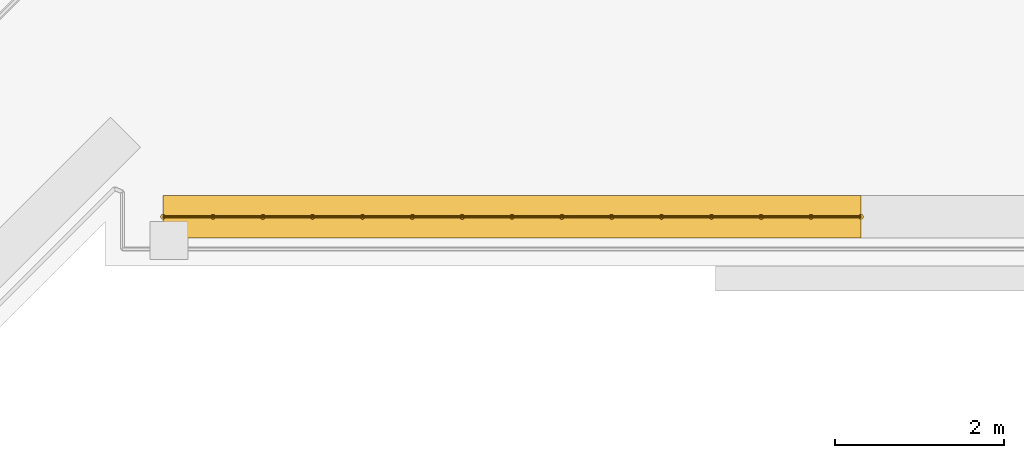
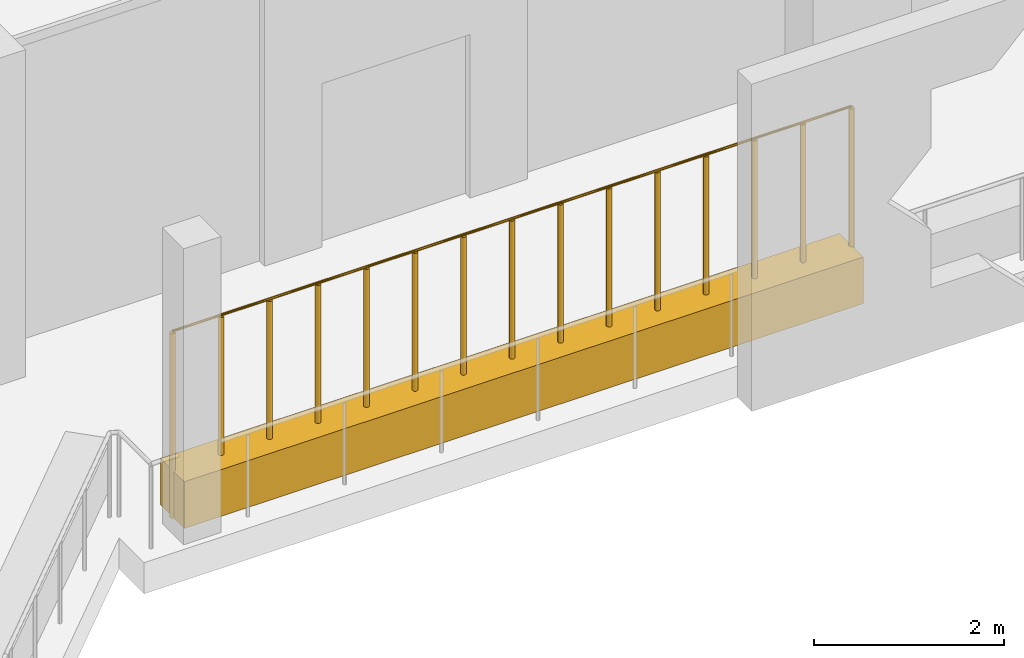
# One storey, part 23 of 27: 1 covering, 1 railing.
"""IFC4 building model written with IfcOpenShell, lengths in metres."""

import ifcopenshell
import ifcopenshell.guid

model = None  # the IFC model being written
_history = None  # IfcOwnerHistory: only IFC2X3 demands one
_inside = {}  # id of a spatial element -> (the spatial element, [elements in it])
_under = {}  # id of a project, library or spatial element -> (it, [spatial elements below it])
_declared = {}  # id of a project -> (the project, [libraries it declares])
_typed = {}  # id of a type object -> (the type object, [elements of that type])
_made_of = {}  # id of a material, layer set ... -> (it, [elements and type objects made of it])


def new_model(schema):
    """Start an empty IFC model of exactly this schema.

    Asked for "IFC4X3", IfcOpenShell would pick the latest addendum, in which some entities
    have other attributes; the version numbers below select the first issue.
    IFC2X3 requires an IfcOwnerHistory on every rooted entity: one is made here for all.
    """
    global model, _history
    if schema == "IFC4X3":
        model = ifcopenshell.file(schema_version=(4, 3, 0, 0))
    else:
        model = ifcopenshell.file(schema=schema)
    _inside.clear()
    _under.clear()
    _declared.clear()
    _typed.clear()
    _made_of.clear()
    _history = None
    if model.schema == "IFC2X3":
        org = make("IfcOrganization", Name="unknown")
        user = make(
            "IfcPersonAndOrganization",
            ThePerson=make("IfcPerson", FamilyName="unknown"),
            TheOrganization=org,
        )
        app = make(
            "IfcApplication",
            ApplicationDeveloper=org,
            Version="unknown",
            ApplicationFullName="unknown",
            ApplicationIdentifier="unknown",
        )
        _history = make(
            "IfcOwnerHistory",
            OwningUser=user,
            OwningApplication=app,
            ChangeAction="ADDED",
            CreationDate=0,
        )
    return model


def make(cls, **values):
    """One entity of the class cls with the attributes given. An attribute that is None is left unset."""
    return model.create_entity(
        cls, **{name: value for name, value in values.items() if value is not None}
    )


def rooted(cls, **values):
    """An entity with a GlobalId (a new one), such as an element, a storey or a relation."""
    return make(cls, GlobalId=ifcopenshell.guid.new(), OwnerHistory=_history, **values)


def si_unit(unit_type, name, prefix=None):
    """IfcSIUnit, for example si_unit("LENGTHUNIT", "METRE", prefix="MILLI")."""
    return make("IfcSIUnit", UnitType=unit_type, Prefix=prefix, Name=name)


def assignment(units):
    """IfcUnitAssignment: the units of a project."""
    return None if units is None else make("IfcUnitAssignment", Units=units)


def point(xyz):
    """IfcCartesianPoint."""
    return None if xyz is None else make("IfcCartesianPoint", Coordinates=xyz)


def direction(xyz):
    """IfcDirection."""
    return None if xyz is None else make("IfcDirection", DirectionRatios=xyz)


def frame(location, z_axis=None, x_axis=None):
    """IfcAxis2Placement3D, a coordinate frame: its origin and axes. An axis left out is left unset."""
    return make(
        "IfcAxis2Placement3D",
        Location=point(location),
        Axis=direction(z_axis),
        RefDirection=direction(x_axis),
    )


def frame_2d(location, x_axis=None):
    """IfcAxis2Placement2D, a coordinate frame in the plane: its origin and x axis."""
    return make(
        "IfcAxis2Placement2D", Location=point(location), RefDirection=direction(x_axis)
    )


def origin():
    """The frame at (0, 0, 0) with its axes left unset."""
    return frame((0.0, 0.0, 0.0))


def origin_2d():
    """The frame at (0, 0) in the plane with its x axis left unset."""
    return frame_2d((0.0, 0.0))


def place(relative_to, where):
    """IfcLocalPlacement: puts the frame where relative to a parent placement (None: the world)."""
    return make(
        "IfcLocalPlacement", PlacementRelTo=relative_to, RelativePlacement=where
    )


def context(
    kind, dimensions, precision=None, world=None, true_north=None, identifier=None
):
    """IfcGeometricRepresentationContext, for example the 3D "Model" context."""
    return make(
        "IfcGeometricRepresentationContext",
        ContextIdentifier=identifier,
        ContextType=kind,
        CoordinateSpaceDimension=dimensions,
        Precision=precision,
        WorldCoordinateSystem=world,
        TrueNorth=true_north,
    )


def subcontext(parent, identifier, kind, view, scale=None):
    """IfcGeometricRepresentationSubContext, for example "Body" below "Model"."""
    return make(
        "IfcGeometricRepresentationSubContext",
        ContextIdentifier=identifier,
        ContextType=kind,
        ParentContext=parent,
        TargetScale=scale,
        TargetView=view,
    )


def project(units=None, contexts=None):
    """IfcProject with its units and contexts."""
    return rooted(
        "IfcProject",
        Name="project",
        RepresentationContexts=contexts,
        UnitsInContext=assignment(units),
    )


def spatial(cls, under=None, at=None, **own):
    """A site, building, storey or space (cls), placed at a placement, below another one or the project."""
    s = rooted(cls, ObjectPlacement=at, **own)
    if under is not None:
        _under.setdefault(under.id(), (under, []))[1].append(s)
    return s


def profile(cls, at=None, kind="AREA", **sizes):
    """A parametric profile (cls). Its sizes go by their IFC names, for example OverallWidth=200.0."""
    return make(cls, ProfileType=kind, Position=at, **sizes)


def rectangle(**sizes):
    """IfcRectangleProfileDef."""
    return profile("IfcRectangleProfileDef", **sizes)


def circle(**sizes):
    """IfcCircleProfileDef."""
    return profile("IfcCircleProfileDef", **sizes)


def extrude(swept, where, along, depth):
    """IfcExtrudedAreaSolid: the profile swept, set in the frame where, extruded along a direction by depth."""
    return make(
        "IfcExtrudedAreaSolid",
        SweptArea=swept,
        Position=where,
        ExtrudedDirection=direction(along),
        Depth=depth,
    )


def shape(context_of_items, identifier, shape_type, items):
    """IfcShapeRepresentation: the items that make up one representation, for example the "Body"."""
    return make(
        "IfcShapeRepresentation",
        ContextOfItems=context_of_items,
        RepresentationIdentifier=identifier,
        RepresentationType=shape_type,
        Items=items,
    )


def material(Name=None, Category=None):
    """IfcMaterial."""
    return make("IfcMaterial", Name=Name, Category=Category)


def material_profile(
    of_material, cross_section, Name=None, Category=None, Priority=None
):
    """IfcMaterialProfile: a cross section and its material."""
    return make(
        "IfcMaterialProfile",
        Name=Name,
        Material=of_material,
        Profile=cross_section,
        Priority=Priority,
        Category=Category,
    )


def profile_set(profiles, Name=None, composite=None):
    """IfcMaterialProfileSet."""
    return make(
        "IfcMaterialProfileSet",
        Name=Name,
        MaterialProfiles=profiles,
        CompositeProfile=composite,
    )


def made_of(thing, what):
    """Note that an element or type object is made of a material, layer set ...; save() writes the relation."""
    if what is not None:
        _made_of.setdefault(what.id(), (what, []))[1].append(thing)
    return thing


def type_object(cls, material=None, **own):
    """A type object (cls), such as IfcWallType, which elements share."""
    return made_of(rooted(cls, **own), material)


def element(
    cls,
    number,
    at=None,
    inside=None,
    cuts=None,
    type_object=None,
    material=None,
    context=None,
    identifier="Body",
    shape_type=None,
    held_by="IfcProductDefinitionShape",
    body=None,
    shapes=None,
    **own,
):
    """One element of the class cls, such as IfcWall. Its Tag is "e" and its number.

    at: its placement. inside: the storey or other place that contains it. cuts: it is an
    opening in that element (IfcRelVoidsElement). A single representation is given by context,
    identifier, shape_type and body (its items); several are given by shapes. held_by: the class
    of the entity that holds the representations. save() writes the other relations.
    """
    e = rooted(cls, Tag="e%d" % number, ObjectPlacement=at, **own)
    if body is not None:
        shapes = [shape(context, identifier, shape_type, body)]
    if shapes is not None:
        e.Representation = make(held_by, Representations=shapes)
    if inside is not None:
        _inside.setdefault(inside.id(), (inside, []))[1].append(e)
    if cuts is not None:
        rooted(
            "IfcRelVoidsElement", RelatingBuildingElement=cuts, RelatedOpeningElement=e
        )
    if type_object is not None:
        _typed.setdefault(type_object.id(), (type_object, []))[1].append(e)
    return made_of(e, material)


def aggregate(whole, parts):
    """IfcRelAggregates: a whole, such as a stair, and the parts it consists of."""
    return rooted("IfcRelAggregates", RelatingObject=whole, RelatedObjects=parts)


def save(model, path):
    """Write the relations noted so far, then the file.

    IfcRelAggregates (storeys below a building ...), IfcRelContainedInSpatialStructure (elements
    in a storey), IfcRelDefinesByType, IfcRelAssociatesMaterial and IfcRelDeclares: one each for
    every whole, place, type object, material and project.
    """
    for whole, parts in _under.values():
        aggregate(whole, parts)
    for where, things in _inside.values():
        rooted(
            "IfcRelContainedInSpatialStructure",
            RelatedElements=things,
            RelatingStructure=where,
        )
    for kind, things in _typed.values():
        rooted("IfcRelDefinesByType", RelatedObjects=things, RelatingType=kind)
    for what, things in _made_of.values():
        rooted("IfcRelAssociatesMaterial", RelatedObjects=things, RelatingMaterial=what)
    for by, libraries in _declared.values():
        rooted("IfcRelDeclares", RelatingContext=by, RelatedDefinitions=libraries)
    model.write(path)


model = new_model("IFC4")

# Units and contexts
model_context = context("Model", 3, precision=1e-05, world=origin(), true_north=direction((0.0, 1.0)))
body_context = subcontext(model_context, "Body", "Model", "MODEL_VIEW")
ifc_project = project(units=[si_unit("LENGTHUNIT", "METRE"), si_unit("AREAUNIT", "SQUARE_METRE"), si_unit("VOLUMEUNIT", "CUBIC_METRE"), si_unit("PLANEANGLEUNIT", "RADIAN"), si_unit("MASSUNIT", "GRAM", prefix="KILO")], contexts=[model_context])

# Site, building, storey
site_placement = place(None, origin())
site = spatial("IfcSite", under=ifc_project, at=site_placement, CompositionType="ELEMENT")
building_placement = place(site_placement, origin())
building = spatial("IfcBuilding", under=site, at=building_placement, Name="Kawkab Arch Medical Tower", CompositionType="ELEMENT")
storey_placement = place(building_placement, frame((0.0, 0.0, 85.39990234375)))
storey = spatial("IfcBuildingStorey", under=building, at=storey_placement, Name="L19", CompositionType="ELEMENT", Elevation=85.39990234375)

# Covering
ifc_material_1 = material(Name="Planting soil in a precast trough", Category="concrete")
ifc_material_profile = material_profile(ifc_material_1, rectangle(XDim=0.5, YDim=0.60009765625, at=origin_2d()), Name="Trough 500x600")
ifc_profile_set = profile_set([ifc_material_profile], Name="Planting soil in a precast trough")
covering_type = type_object("IfcCoveringType", Name="Planter trough 500 x 600", PredefinedType="USERDEFINED", material=ifc_profile_set)
covering_placement = place(storey_placement, frame((40.126953125, -28.820068359375, 0.300048828125), z_axis=(-1.0, 0.0, 0.0), x_axis=(0.0, -1.0, 0.0)))
element("IfcCovering", 1, at=covering_placement, inside=storey, type_object=covering_type, Name="Planter L19.LOG-01-01.41", ObjectType="PLANTER", PredefinedType="USERDEFINED", context=body_context, shape_type="SweptSolid", body=[
    extrude(rectangle(XDim=0.5, YDim=0.60009765625, at=origin_2d()), origin(), (0.0, 0.0, 1.0), 8.2470703125),
])

# Railing
ifc_material_2 = material(Name="Bronze anodised aluminium trellis for climbing plants", Category="aluminium")
railing_type = type_object("IfcRailingType", Name="Planting trellis 2400", PredefinedType="USERDEFINED", material=ifc_material_2)
railing_placement = place(storey_placement, frame((40.126953125, -28.820068359375, 0.0)))
element("IfcRailing", 2, at=railing_placement, inside=storey, type_object=railing_type, Name="Planting trellis L19.LOG-01-01.41", ObjectType="TRELLIS", PredefinedType="USERDEFINED", context=body_context, shape_type="SweptSolid", body=[
    extrude(circle(Radius=0.01513671875, at=origin_2d()), frame((0.0, 0.0, 2.384765625), z_axis=(-1.0, 0.0, 0.0), x_axis=(0.0, -1.0, 0.0)), (0.0, 0.0, 1.0), 8.2470703125),
    extrude(circle(Radius=0.030029296875, at=origin_2d()), origin(), (0.0, 0.0, 1.0), 2.369873046875),
    extrude(circle(Radius=0.030029296875, at=origin_2d()), frame((-0.589111328125, 0.0, 0.0)), (0.0, 0.0, 1.0), 2.369873046875),
    extrude(circle(Radius=0.030029296875, at=origin_2d()), frame((-1.17822265625, 0.0, 0.0)), (0.0, 0.0, 1.0), 2.369873046875),
    extrude(circle(Radius=0.030029296875, at=origin_2d()), frame((-1.767333984375, 0.0, 0.0)), (0.0, 0.0, 1.0), 2.369873046875),
    extrude(circle(Radius=0.030029296875, at=origin_2d()), frame((-2.356201171875, 0.0, 0.0)), (0.0, 0.0, 1.0), 2.369873046875),
    extrude(circle(Radius=0.030029296875, at=origin_2d()), frame((-2.9453125, 0.0, 0.0)), (0.0, 0.0, 1.0), 2.369873046875),
    extrude(circle(Radius=0.030029296875, at=origin_2d()), frame((-3.534423828125, 0.0, 0.0)), (0.0, 0.0, 1.0), 2.369873046875),
    extrude(circle(Radius=0.030029296875, at=origin_2d()), frame((-4.12353515625, 0.0, 0.0)), (0.0, 0.0, 1.0), 2.369873046875),
    extrude(circle(Radius=0.030029296875, at=origin_2d()), frame((-4.712646484375, 0.0, 0.0)), (0.0, 0.0, 1.0), 2.369873046875),
    extrude(circle(Radius=0.030029296875, at=origin_2d()), frame((-5.3017578125, 0.0, 0.0)), (0.0, 0.0, 1.0), 2.369873046875),
    extrude(circle(Radius=0.030029296875, at=origin_2d()), frame((-5.890869140625, 0.0, 0.0)), (0.0, 0.0, 1.0), 2.369873046875),
    extrude(circle(Radius=0.030029296875, at=origin_2d()), frame((-6.479736328125, 0.0, 0.0)), (0.0, 0.0, 1.0), 2.369873046875),
    extrude(circle(Radius=0.030029296875, at=origin_2d()), frame((-7.06884765625, 0.0, 0.0)), (0.0, 0.0, 1.0), 2.369873046875),
    extrude(circle(Radius=0.030029296875, at=origin_2d()), frame((-7.657958984375, 0.0, 0.0)), (0.0, 0.0, 1.0), 2.369873046875),
    extrude(circle(Radius=0.030029296875, at=origin_2d()), frame((-8.2470703125, 0.0, 0.0)), (0.0, 0.0, 1.0), 2.369873046875),
])

save(model, "model.ifc")
